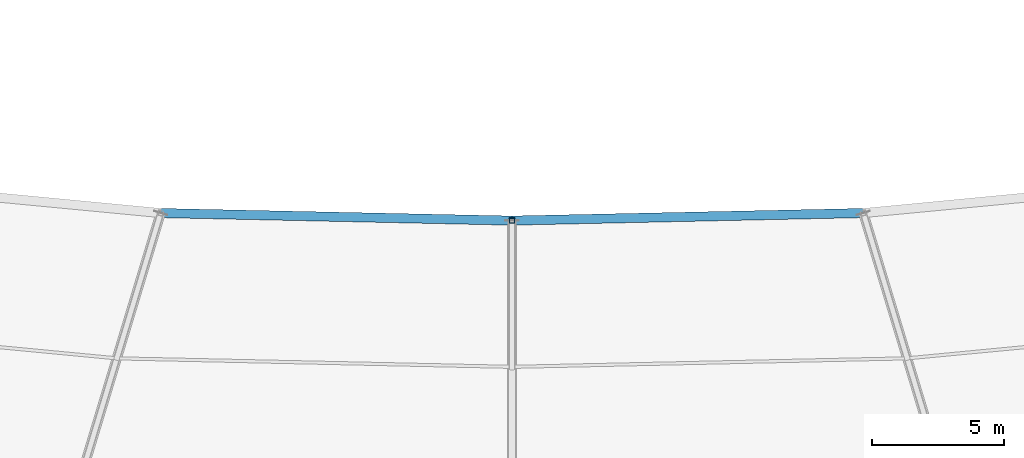
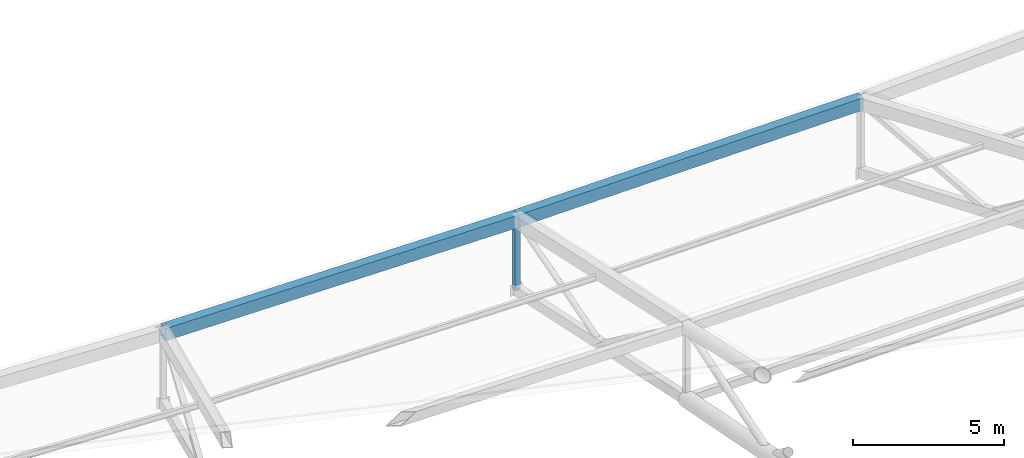
# One storey, part 36 of 143: 2 beams, 1 member.
"""IFC4 building model written with IfcOpenShell, lengths in metres."""

from ifc_helpers import new_model, si_unit, direction, frame, origin, origin_2d, place, context, subcontext, project, spatial, hollow_rectangle, extrude, material, material_profile, profile_set, type_object, element, save


model = new_model("IFC4")

# Units and contexts
model_context = context("Model", 3, precision=1e-05, world=origin(), true_north=direction((0.0, 1.0)))
body_context = subcontext(model_context, "Body", "Model", "MODEL_VIEW")
ifc_project = project(units=[si_unit("LENGTHUNIT", "METRE"), si_unit("AREAUNIT", "SQUARE_METRE"), si_unit("VOLUMEUNIT", "CUBIC_METRE"), si_unit("PLANEANGLEUNIT", "RADIAN"), si_unit("MASSUNIT", "GRAM", prefix="KILO")], contexts=[model_context])

# Site, building, storey
site_placement = place(None, origin())
site = spatial("IfcSite", under=ifc_project, at=site_placement, CompositionType="ELEMENT")
building_placement = place(site_placement, origin())
building = spatial("IfcBuilding", under=site, at=building_placement, Name="Mphavela Belvedere Stadium", CompositionType="ELEMENT")
storey_placement = place(building_placement, frame((0.0, 0.0, 28.800048828125)))
storey = spatial("IfcBuildingStorey", under=building, at=storey_placement, Name="RF", CompositionType="ELEMENT", Elevation=28.800048828125)

# Beams
ifc_material_1 = material(Name="Steel S355", Category="steel")
ifc_material_profile_1 = material_profile(ifc_material_1, hollow_rectangle(XDim=0.35009765625, YDim=0.5, WallThickness=0.02001953125, at=origin_2d()), Name="RHS 500x350x20")
ifc_profile_set_1 = profile_set([ifc_material_profile_1], Name="Steel S355")
beam_type = type_object("IfcBeamType", Name="BM-RING-IN", PredefinedType="BEAM", material=ifc_profile_set_1)
for number, where, z_axis, x_axis, name in (
    (1, (101.647705078125, 42.8076171875, 7.196533203125), (0.9997408488, -0.021533611013, 0.007385041468), (0.021534198246, 0.999768112267, 0.0), "Inner tension ring beam RB-IN-36"),
    (2, (115.0, 42.52001953125, 7.295166015625), (0.9997408488, 0.021533611013, -0.007385041468), (-0.021534198246, 0.999768112267, 0.0), "Inner tension ring beam RB-IN-37"),
):
    element("IfcBeam", number, at=place(storey_placement, frame(where, z_axis=z_axis, x_axis=x_axis)), inside=storey, type_object=beam_type, Name=name, PredefinedType="BEAM", context=body_context, shape_type="SweptSolid", body=[
        extrude(hollow_rectangle(XDim=0.35009765625, YDim=0.5, WallThickness=0.02001953125, at=origin_2d()), origin(), (0.0, 0.0, 1.0), 13.355712890625),
    ])

# Member
ifc_material_2 = material(Name="Steel S355", Category="steel")
ifc_material_profile_2 = material_profile(ifc_material_2, hollow_rectangle(XDim=0.199951171875, YDim=0.199951171875, WallThickness=0.010009765625, at=origin_2d()), Name="SHS 200x200x10")
ifc_profile_set_2 = profile_set([ifc_material_profile_2], Name="Steel S355")
member_type = type_object("IfcMemberType", Name="MEM-POST-SHS200", PredefinedType="POST", material=ifc_profile_set_2)
member_placement = place(storey_placement, frame((115.0, 42.52001953125, 4.445068359375), z_axis=(0.0, 0.0, 1.0), x_axis=(0.0, -1.0, 0.0)))
element("IfcMember", 3, at=member_placement, inside=storey, type_object=member_type, Name="Radial roof truss RT-37 post P4", PredefinedType="POST", context=body_context, shape_type="SweptSolid", body=[
    extrude(hollow_rectangle(XDim=0.199951171875, YDim=0.199951171875, WallThickness=0.010009765625, at=origin_2d()), origin(), (0.0, 0.0, 1.0), 2.85009765625),
])

save(model, "model.ifc")
